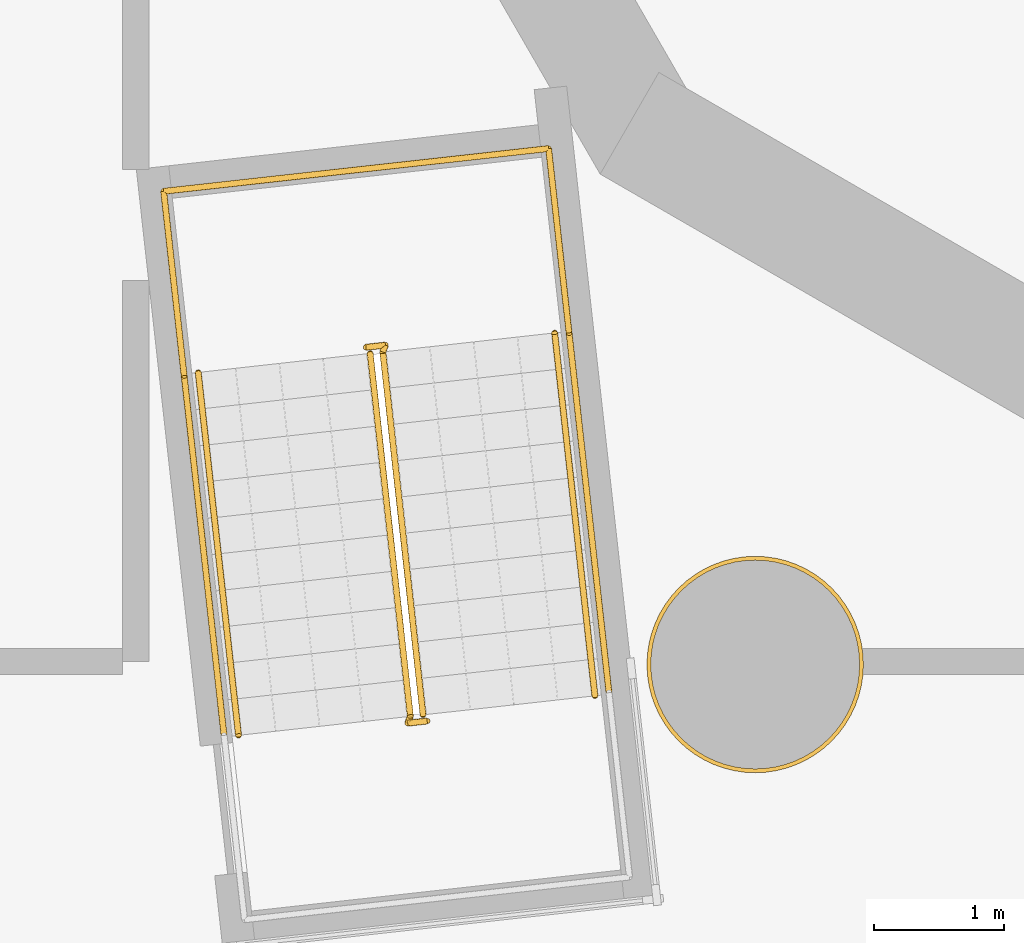
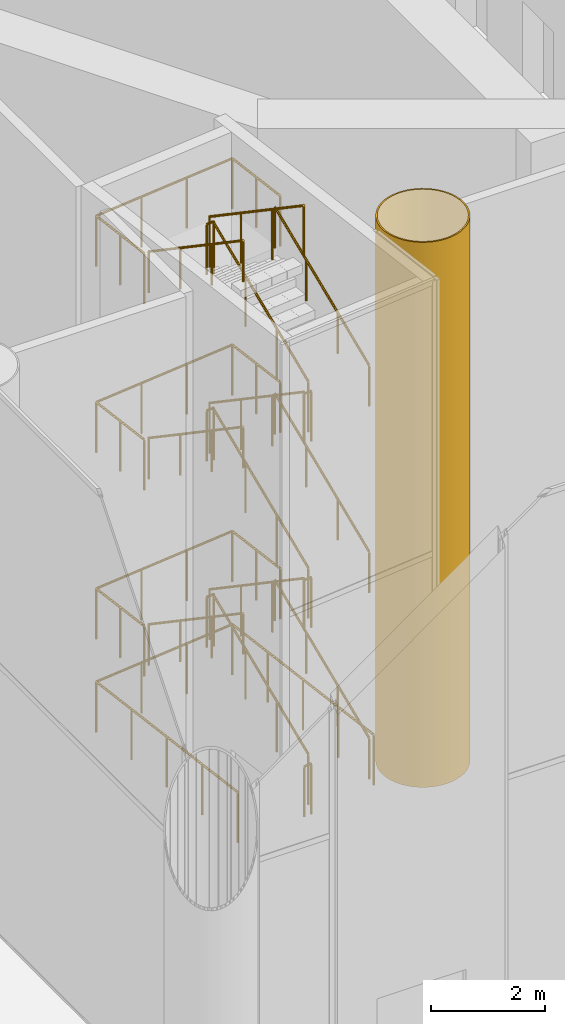
# One storey, part 29 of 52: 17 railings, 1 covering.
"""IFC4 building model written with IfcOpenShell, lengths in metres."""

from ifc_helpers import new_model, si_unit, direction, frame, origin, origin_2d, place, context, subcontext, project, spatial, polyline, circle, outline, extrude, material, layer, layer_set, type_object, element, save


model = new_model("IFC4")

# Units and contexts
model_context = context("Model", 3, precision=1e-05, world=origin(), true_north=direction((0.0, 1.0)))
body_context = subcontext(model_context, "Body", "Model", "MODEL_VIEW")
ifc_project = project(units=[si_unit("LENGTHUNIT", "METRE"), si_unit("AREAUNIT", "SQUARE_METRE"), si_unit("VOLUMEUNIT", "CUBIC_METRE"), si_unit("PLANEANGLEUNIT", "RADIAN"), si_unit("MASSUNIT", "GRAM", prefix="KILO")], contexts=[model_context])

# Site, building, storey
site_placement = place(None, origin())
site = spatial("IfcSite", under=ifc_project, at=site_placement, CompositionType="ELEMENT")
building_placement = place(site_placement, origin())
building = spatial("IfcBuilding", under=site, at=building_placement, Name="Cantera Rosa Tower", CompositionType="ELEMENT")
storey_placement = place(building_placement, origin())
storey = spatial("IfcBuildingStorey", under=building, at=storey_placement, Name="L00", CompositionType="ELEMENT", Elevation=0.0)

# Covering
ifc_material_1 = material(Name="Plaster")
ifc_layer = layer(ifc_material_1, 0.030029296875)
ifc_layer_set = layer_set([ifc_layer], Name="Column casing 30")
covering_type = type_object("IfcCoveringType", Name="Column casing 30", PredefinedType="CLADDING", material=ifc_layer_set)
covering_placement = place(storey_placement, origin())
element("IfcCovering", 1, at=covering_placement, inside=storey, type_object=covering_type, Name="Column casing L00-008", PredefinedType="CLADDING", context=body_context, shape_type="SweptSolid", body=[
    extrude(outline(polyline([(-6.823974609375, -12.681396484375), (-6.820068359375, -12.60009765625), (-6.823974609375, -12.5185546875), (-6.8359375, -12.43798828125), (-6.855712890625, -12.359130859375), (-6.88330078125, -12.282470703125), (-6.91796875, -12.208740234375), (-6.9599609375, -12.138916015625), (-7.00830078125, -12.073486328125), (-7.06298828125, -12.01318359375), (-7.12353515625, -11.95849609375), (-7.18896484375, -11.909912109375), (-7.2587890625, -11.867919921875), (-7.33251953125, -11.833251953125), (-7.4091796875, -11.8056640625), (-7.488037109375, -11.785888671875), (-7.568603515625, -11.77392578125), (-7.64990234375, -11.77001953125), (-7.7314453125, -11.77392578125), (-7.81201171875, -11.785888671875), (-7.890869140625, -11.8056640625), (-7.967529296875, -11.833251953125), (-8.041259765625, -11.867919921875), (-8.111083984375, -11.909912109375), (-8.176513671875, -11.95849609375), (-8.23681640625, -12.01318359375), (-8.29150390625, -12.073486328125), (-8.340087890625, -12.138916015625), (-8.382080078125, -12.208740234375), (-8.416748046875, -12.282470703125), (-8.4443359375, -12.359130859375), (-8.464111328125, -12.43798828125), (-8.47607421875, -12.5185546875), (-8.47998046875, -12.60009765625), (-8.47607421875, -12.681396484375), (-8.464111328125, -12.761962890625), (-8.4443359375, -12.8408203125), (-8.416748046875, -12.91748046875), (-8.382080078125, -12.9912109375), (-8.340087890625, -13.06103515625), (-8.29150390625, -13.12646484375), (-8.23681640625, -13.18701171875), (-8.176513671875, -13.24169921875), (-8.111083984375, -13.2900390625), (-8.041259765625, -13.33203125), (-7.967529296875, -13.36669921875), (-7.890869140625, -13.394287109375), (-7.81201171875, -13.4140625), (-7.7314453125, -13.426025390625), (-7.64990234375, -13.429931640625), (-7.568603515625, -13.426025390625), (-7.488037109375, -13.4140625), (-7.4091796875, -13.394287109375), (-7.33251953125, -13.36669921875), (-7.2587890625, -13.33203125), (-7.18896484375, -13.2900390625), (-7.12353515625, -13.24169921875), (-7.06298828125, -13.18701171875), (-7.00830078125, -13.12646484375), (-6.9599609375, -13.06103515625), (-6.91796875, -12.9912109375), (-6.88330078125, -12.91748046875), (-6.855712890625, -12.8408203125), (-6.8359375, -12.761962890625), (-6.823974609375, -12.681396484375)]), holes=[polyline([(-6.85400390625, -12.521484375), (-6.865478515625, -12.44384765625), (-6.884521484375, -12.367919921875), (-6.910888671875, -12.2939453125), (-6.944580078125, -12.222900390625), (-6.98486328125, -12.155517578125), (-7.031494140625, -12.092529296875), (-7.084228515625, -12.0341796875), (-7.142578125, -11.981689453125), (-7.20556640625, -11.934814453125), (-7.27294921875, -11.89453125), (-7.343994140625, -11.86083984375), (-7.417724609375, -11.83447265625), (-7.493896484375, -11.8154296875), (-7.571533203125, -11.803955078125), (-7.64990234375, -11.800048828125), (-7.728515625, -11.803955078125), (-7.80615234375, -11.8154296875), (-7.882080078125, -11.83447265625), (-7.9560546875, -11.86083984375), (-8.027099609375, -11.89453125), (-8.094482421875, -11.934814453125), (-8.157470703125, -11.981689453125), (-8.2158203125, -12.0341796875), (-8.268310546875, -12.092529296875), (-8.315185546875, -12.155517578125), (-8.35546875, -12.222900390625), (-8.38916015625, -12.2939453125), (-8.41552734375, -12.367919921875), (-8.4345703125, -12.44384765625), (-8.446044921875, -12.521484375), (-8.449951171875, -12.60009765625), (-8.446044921875, -12.678466796875), (-8.4345703125, -12.756103515625), (-8.41552734375, -12.832275390625), (-8.38916015625, -12.906005859375), (-8.35546875, -12.97705078125), (-8.315185546875, -13.04443359375), (-8.268310546875, -13.107421875), (-8.2158203125, -13.165771484375), (-8.157470703125, -13.218505859375), (-8.094482421875, -13.26513671875), (-8.027099609375, -13.305419921875), (-7.9560546875, -13.339111328125), (-7.882080078125, -13.365478515625), (-7.80615234375, -13.384521484375), (-7.728515625, -13.39599609375), (-7.64990234375, -13.39990234375), (-7.571533203125, -13.39599609375), (-7.493896484375, -13.384521484375), (-7.417724609375, -13.365478515625), (-7.343994140625, -13.339111328125), (-7.27294921875, -13.305419921875), (-7.20556640625, -13.26513671875), (-7.142578125, -13.218505859375), (-7.084228515625, -13.165771484375), (-7.031494140625, -13.107421875), (-6.98486328125, -13.04443359375), (-6.944580078125, -12.97705078125), (-6.910888671875, -12.906005859375), (-6.884521484375, -12.832275390625), (-6.865478515625, -12.756103515625), (-6.85400390625, -12.678466796875), (-6.85009765625, -12.60009765625), (-6.85400390625, -12.521484375)])]), origin(), (0.0, 0.0, 1.0), 11.699951171875),
])

# Railings
ifc_material_2 = material(Name="Steel S355J2 (EN 10025-2)", Category="steel")
railing_type_1 = type_object("IfcRailingType", Name="STAIR GUARD 1100", PredefinedType="GUARDRAIL", material=ifc_material_2)
railing_1_placement = place(storey_placement, frame((-10.19677734375, -12.986083984375, 0.181884765625)))
element("IfcRailing", 2, at=railing_1_placement, inside=storey, type_object=railing_type_1, Name="L00 ST-13 stair guard 1", PredefinedType="GUARDRAIL", context=body_context, shape_type="SweptSolid", body=[
    extrude(circle(Radius=0.02392578125, at=origin_2d()), frame((0.0, 0.0, 1.076171875), z_axis=(-0.09250714026, 0.833588056777, 0.544585512661), x_axis=(-0.993898612038, -0.110297547524, 0.0)), (0.0, 0.0, 1.0), 3.338623046875),
    extrude(circle(Radius=0.02392578125, at=origin_2d()), frame((-0.308837890625, 2.782958984375, 2.89404296875), z_axis=(0.360141847183, 0.932897555956, 0.0), x_axis=(-0.932897555956, 0.360141847183, 0.0)), (0.0, 0.0, 1.0), 0.05615234375),
    extrude(circle(Radius=0.02392578125, at=origin_2d()), frame((-0.28857421875, 2.83544921875, 2.89404296875), z_axis=(-0.993863881828, -0.110610055588, 0.0), x_axis=(0.110610055588, -0.993863881828, 0.0)), (0.0, 0.0, 1.0), 0.150146484375),
    extrude(circle(Radius=0.02099609375, at=origin_2d()), origin(), (0.0, 0.0, 1.0), 1.052001953125),
    extrude(circle(Radius=0.02099609375, at=origin_2d()), frame((-0.10302734375, 0.927734375, 0.60595703125)), (0.0, 0.0, 1.0), 1.052001953125),
    extrude(circle(Radius=0.02099609375, at=origin_2d()), frame((-0.205810546875, 1.855224609375, 1.212158203125)), (0.0, 0.0, 1.0), 1.052001953125),
    extrude(circle(Radius=0.02099609375, at=origin_2d()), frame((-0.308837890625, 2.782958984375, 1.818115234375)), (0.0, 0.0, 1.0), 1.052001953125),
    extrude(circle(Radius=0.02099609375, at=origin_2d()), frame((-0.28857421875, 2.83544921875, 1.818115234375)), (0.0, 0.0, 1.0), 1.052001953125),
    extrude(circle(Radius=0.02099609375, at=origin_2d()), frame((-0.437744140625, 2.81884765625, 1.818115234375)), (0.0, 0.0, 1.0), 1.052001953125),
])
railing_2_placement = place(storey_placement, frame((-10.60302734375, -10.2138671875, 2.181884765625)))
element("IfcRailing", 3, at=railing_2_placement, inside=storey, type_object=railing_type_1, Name="L00 ST-13 stair guard 2", PredefinedType="GUARDRAIL", context=body_context, shape_type="SweptSolid", body=[
    extrude(circle(Radius=0.02392578125, at=origin_2d()), frame((0.0, 0.0, 1.076171875), z_axis=(0.09250714026, -0.833588056777, 0.544585512661), x_axis=(0.993898612038, 0.110297547524, 0.0)), (0.0, 0.0, 1.0), 3.338623046875),
    extrude(circle(Radius=0.02392578125, at=origin_2d()), frame((0.308837890625, -2.782958984375, 2.89404296875), z_axis=(-0.363909256389, -0.931434406233, 0.0), x_axis=(0.931434406233, -0.363909256389, 0.0)), (0.0, 0.0, 1.0), 0.056396484375),
    extrude(circle(Radius=0.02392578125, at=origin_2d()), frame((0.288330078125, -2.83544921875, 2.89404296875), z_axis=(0.994041430915, 0.1090029065, 0.0), x_axis=(-0.1090029065, 0.994041430915, 0.0)), (0.0, 0.0, 1.0), 0.150146484375),
    extrude(circle(Radius=0.02099609375, at=origin_2d()), origin(), (0.0, 0.0, 1.0), 1.052001953125),
    extrude(circle(Radius=0.02099609375, at=origin_2d()), frame((0.10302734375, -0.927734375, 0.60595703125)), (0.0, 0.0, 1.0), 1.052001953125),
    extrude(circle(Radius=0.02099609375, at=origin_2d()), frame((0.205810546875, -1.855224609375, 1.212158203125)), (0.0, 0.0, 1.0), 1.052001953125),
    extrude(circle(Radius=0.02099609375, at=origin_2d()), frame((0.308837890625, -2.782958984375, 1.818115234375)), (0.0, 0.0, 1.0), 1.052001953125),
    extrude(circle(Radius=0.02099609375, at=origin_2d()), frame((0.288330078125, -2.83544921875, 1.818115234375)), (0.0, 0.0, 1.0), 1.052001953125),
    extrude(circle(Radius=0.02099609375, at=origin_2d()), frame((0.4375, -2.819091796875, 1.818115234375)), (0.0, 0.0, 1.0), 1.052001953125),
])
railing_3_placement = place(storey_placement, frame((-10.19677734375, -12.986083984375, 4.181884765625)))
element("IfcRailing", 4, at=railing_3_placement, inside=storey, type_object=railing_type_1, Name="L00 ST-13 stair guard 3", PredefinedType="GUARDRAIL", context=body_context, shape_type="SweptSolid", body=[
    extrude(circle(Radius=0.02392578125, at=origin_2d()), frame((0.0, 0.0, 1.076171875), z_axis=(-0.09250714026, 0.833588056777, 0.544585512661), x_axis=(-0.993898612038, -0.110297547524, 0.0)), (0.0, 0.0, 1.0), 3.338623046875),
    extrude(circle(Radius=0.02392578125, at=origin_2d()), frame((-0.308837890625, 2.782958984375, 2.89404296875), z_axis=(0.360141847183, 0.932897555956, 0.0), x_axis=(-0.932897555956, 0.360141847183, 0.0)), (0.0, 0.0, 1.0), 0.05615234375),
    extrude(circle(Radius=0.02392578125, at=origin_2d()), frame((-0.28857421875, 2.83544921875, 2.89404296875), z_axis=(-0.993863881828, -0.110610055588, 0.0), x_axis=(0.110610055588, -0.993863881828, 0.0)), (0.0, 0.0, 1.0), 0.150146484375),
    extrude(circle(Radius=0.02099609375, at=origin_2d()), origin(), (0.0, 0.0, 1.0), 1.052001953125),
    extrude(circle(Radius=0.02099609375, at=origin_2d()), frame((-0.10302734375, 0.927734375, 0.60595703125)), (0.0, 0.0, 1.0), 1.052001953125),
    extrude(circle(Radius=0.02099609375, at=origin_2d()), frame((-0.205810546875, 1.855224609375, 1.212158203125)), (0.0, 0.0, 1.0), 1.052001953125),
    extrude(circle(Radius=0.02099609375, at=origin_2d()), frame((-0.308837890625, 2.782958984375, 1.818115234375)), (0.0, 0.0, 1.0), 1.052001953125),
    extrude(circle(Radius=0.02099609375, at=origin_2d()), frame((-0.28857421875, 2.83544921875, 1.818115234375)), (0.0, 0.0, 1.0), 1.052001953125),
    extrude(circle(Radius=0.02099609375, at=origin_2d()), frame((-0.437744140625, 2.81884765625, 1.818115234375)), (0.0, 0.0, 1.0), 1.052001953125),
])
railing_4_placement = place(storey_placement, frame((-10.60302734375, -10.2138671875, 6.181884765625)))
element("IfcRailing", 5, at=railing_4_placement, inside=storey, type_object=railing_type_1, Name="L00 ST-13 stair guard 4", PredefinedType="GUARDRAIL", context=body_context, shape_type="SweptSolid", body=[
    extrude(circle(Radius=0.02392578125, at=origin_2d()), frame((0.0, 0.0, 1.076171875), z_axis=(0.09250714026, -0.833588056777, 0.544585512661), x_axis=(0.993898612038, 0.110297547524, 0.0)), (0.0, 0.0, 1.0), 3.338623046875),
    extrude(circle(Radius=0.02392578125, at=origin_2d()), frame((0.308837890625, -2.782958984375, 2.89404296875), z_axis=(-0.363909256389, -0.931434406233, 0.0), x_axis=(0.931434406233, -0.363909256389, 0.0)), (0.0, 0.0, 1.0), 0.056396484375),
    extrude(circle(Radius=0.02392578125, at=origin_2d()), frame((0.288330078125, -2.83544921875, 2.89404296875), z_axis=(0.994041430915, 0.1090029065, 0.0), x_axis=(-0.1090029065, 0.994041430915, 0.0)), (0.0, 0.0, 1.0), 0.150146484375),
    extrude(circle(Radius=0.02099609375, at=origin_2d()), origin(), (0.0, 0.0, 1.0), 1.052001953125),
    extrude(circle(Radius=0.02099609375, at=origin_2d()), frame((0.10302734375, -0.927734375, 0.60595703125)), (0.0, 0.0, 1.0), 1.052001953125),
    extrude(circle(Radius=0.02099609375, at=origin_2d()), frame((0.205810546875, -1.855224609375, 1.212158203125)), (0.0, 0.0, 1.0), 1.052001953125),
    extrude(circle(Radius=0.02099609375, at=origin_2d()), frame((0.308837890625, -2.782958984375, 1.818115234375)), (0.0, 0.0, 1.0), 1.052001953125),
    extrude(circle(Radius=0.02099609375, at=origin_2d()), frame((0.288330078125, -2.83544921875, 1.818115234375)), (0.0, 0.0, 1.0), 1.052001953125),
    extrude(circle(Radius=0.02099609375, at=origin_2d()), frame((0.4375, -2.819091796875, 1.818115234375)), (0.0, 0.0, 1.0), 1.052001953125),
])
railing_5_placement = place(storey_placement, frame((-10.19677734375, -12.986083984375, 8.181884765625)))
element("IfcRailing", 6, at=railing_5_placement, inside=storey, type_object=railing_type_1, Name="L00 ST-13 stair guard 5", PredefinedType="GUARDRAIL", context=body_context, shape_type="SweptSolid", body=[
    extrude(circle(Radius=0.02392578125, at=origin_2d()), frame((0.0, 0.0, 1.076171875), z_axis=(-0.09250714026, 0.833588056777, 0.544585512661), x_axis=(-0.993898612038, -0.110297547524, 0.0)), (0.0, 0.0, 1.0), 3.338623046875),
    extrude(circle(Radius=0.02392578125, at=origin_2d()), frame((-0.308837890625, 2.782958984375, 2.89404296875), z_axis=(0.360141847183, 0.932897555956, 0.0), x_axis=(-0.932897555956, 0.360141847183, 0.0)), (0.0, 0.0, 1.0), 0.05615234375),
    extrude(circle(Radius=0.02392578125, at=origin_2d()), frame((-0.28857421875, 2.83544921875, 2.89404296875), z_axis=(-0.993863881828, -0.110610055588, 0.0), x_axis=(0.110610055588, -0.993863881828, 0.0)), (0.0, 0.0, 1.0), 0.150146484375),
    extrude(circle(Radius=0.02099609375, at=origin_2d()), origin(), (0.0, 0.0, 1.0), 1.052001953125),
    extrude(circle(Radius=0.02099609375, at=origin_2d()), frame((-0.10302734375, 0.927734375, 0.60595703125)), (0.0, 0.0, 1.0), 1.052001953125),
    extrude(circle(Radius=0.02099609375, at=origin_2d()), frame((-0.205810546875, 1.855224609375, 1.212158203125)), (0.0, 0.0, 1.0), 1.052001953125),
    extrude(circle(Radius=0.02099609375, at=origin_2d()), frame((-0.308837890625, 2.782958984375, 1.818115234375)), (0.0, 0.0, 1.0), 1.052001953125),
    extrude(circle(Radius=0.02099609375, at=origin_2d()), frame((-0.28857421875, 2.83544921875, 1.818115234375)), (0.0, 0.0, 1.0), 1.052001953125),
    extrude(circle(Radius=0.02099609375, at=origin_2d()), frame((-0.437744140625, 2.81884765625, 1.818115234375)), (0.0, 0.0, 1.0), 1.052001953125),
])
railing_6_placement = place(storey_placement, frame((-10.60302734375, -10.2138671875, 10.181884765625)))
element("IfcRailing", 7, at=railing_6_placement, inside=storey, type_object=railing_type_1, Name="L00 ST-13 stair guard 6", PredefinedType="GUARDRAIL", context=body_context, shape_type="SweptSolid", body=[
    extrude(circle(Radius=0.02392578125, at=origin_2d()), frame((0.0, 0.0, 1.076171875), z_axis=(0.09250714026, -0.833588056777, 0.544585512661), x_axis=(0.993898612038, 0.110297547524, 0.0)), (0.0, 0.0, 1.0), 3.338623046875),
    extrude(circle(Radius=0.02099609375, at=origin_2d()), origin(), (0.0, 0.0, 1.0), 1.052001953125),
    extrude(circle(Radius=0.02099609375, at=origin_2d()), frame((0.10302734375, -0.927734375, 0.60595703125)), (0.0, 0.0, 1.0), 1.052001953125),
    extrude(circle(Radius=0.02099609375, at=origin_2d()), frame((0.205810546875, -1.855224609375, 1.212158203125)), (0.0, 0.0, 1.0), 1.052001953125),
    extrude(circle(Radius=0.02099609375, at=origin_2d()), frame((0.308837890625, -2.782958984375, 1.818115234375)), (0.0, 0.0, 1.0), 1.052001953125),
])
railing_7_placement = place(storey_placement, frame((-10.16552734375, -13.032958984375, 0.0)))
element("IfcRailing", 8, at=railing_7_placement, inside=storey, type_object=railing_type_1, Name="L00 ST-13 stair guard 7", PredefinedType="GUARDRAIL", context=body_context, shape_type="SweptSolid", body=[
    extrude(circle(Radius=0.02392578125, at=origin_2d()), frame((0.0, 0.0, 1.076171875), z_axis=(-0.994041430915, -0.1090029065, 0.0), x_axis=(0.1090029065, -0.994041430915, 0.0)), (0.0, 0.0, 1.0), 0.150146484375),
    extrude(circle(Radius=0.02099609375, at=origin_2d()), origin(), (0.0, 0.0, 1.0), 1.052001953125),
    extrude(circle(Radius=0.02099609375, at=origin_2d()), frame((-0.149169921875, -0.016357421875, 0.0)), (0.0, 0.0, 1.0), 1.052001953125),
])
railing_8_placement = place(storey_placement, frame((-8.77099609375, -12.815673828125, 0.0)))
element("IfcRailing", 9, at=railing_8_placement, inside=storey, type_object=railing_type_1, Name="L00 ST-13 stair guard 8", PredefinedType="GUARDRAIL", context=body_context, shape_type="SweptSolid", body=[
    extrude(circle(Radius=0.02392578125, at=origin_2d()), frame((0.0, 0.0, 1.076171875), z_axis=(-0.110323013767, 0.9938957856, 0.0), x_axis=(-0.9938957856, -0.110323013767, 0.0)), (0.0, 0.0, 1.0), 4.197998046875),
    extrude(circle(Radius=0.02392578125, at=origin_2d()), frame((-0.463134765625, 4.17236328125, 1.076171875), z_axis=(-0.993896759678, -0.110314237986, 0.0), x_axis=(0.110314237986, -0.993896759678, 0.0)), (0.0, 0.0, 1.0), 2.969970703125),
    extrude(circle(Radius=0.02392578125, at=origin_2d()), frame((-3.4150390625, 3.8447265625, 1.076171875), z_axis=(0.110323013767, -0.9938957856, 0.0), x_axis=(0.9938957856, 0.110323013767, 0.0)), (0.0, 0.0, 1.0), 4.197998046875),
    extrude(circle(Radius=0.02099609375, at=origin_2d()), origin(), (0.0, 0.0, 1.0), 1.052001953125),
    extrude(circle(Radius=0.02099609375, at=origin_2d()), frame((-0.11572265625, 1.04296875, 0.0)), (0.0, 0.0, 1.0), 1.052001953125),
    extrude(circle(Radius=0.02099609375, at=origin_2d()), frame((-0.2314453125, 2.086181640625, 0.0)), (0.0, 0.0, 1.0), 1.052001953125),
    extrude(circle(Radius=0.02099609375, at=origin_2d()), frame((-0.347412109375, 3.12939453125, 0.0)), (0.0, 0.0, 1.0), 1.052001953125),
    extrude(circle(Radius=0.02099609375, at=origin_2d()), frame((-0.463134765625, 4.17236328125, 0.0)), (0.0, 0.0, 1.0), 1.052001953125),
    extrude(circle(Radius=0.02099609375, at=origin_2d()), frame((-1.447021484375, 4.063232421875, 0.0)), (0.0, 0.0, 1.0), 1.052001953125),
    extrude(circle(Radius=0.02099609375, at=origin_2d()), frame((-2.43115234375, 3.953857421875, 0.0)), (0.0, 0.0, 1.0), 1.052001953125),
    extrude(circle(Radius=0.02099609375, at=origin_2d()), frame((-3.4150390625, 3.8447265625, 0.0)), (0.0, 0.0, 1.0), 1.052001953125),
    extrude(circle(Radius=0.02099609375, at=origin_2d()), frame((-3.29931640625, 2.8017578125, 0.0)), (0.0, 0.0, 1.0), 1.052001953125),
    extrude(circle(Radius=0.02099609375, at=origin_2d()), frame((-3.18359375, 1.758544921875, 0.0)), (0.0, 0.0, 1.0), 1.052001953125),
    extrude(circle(Radius=0.02099609375, at=origin_2d()), frame((-3.067626953125, 0.71533203125, 0.0)), (0.0, 0.0, 1.0), 1.052001953125),
    extrude(circle(Radius=0.02099609375, at=origin_2d()), frame((-2.951904296875, -0.32763671875, 0.0)), (0.0, 0.0, 1.0), 1.052001953125),
])
for number, where, name in (
    (10, (-9.0771484375, -10.056640625, 2.0), "L00 ST-13 stair guard 9"),
    (11, (-9.0771484375, -10.056640625, 6.0), "L00 ST-13 stair guard 11"),
    (12, (-9.0771484375, -10.056640625, 10.0), "L00 ST-13 stair guard 13"),
):
    element("IfcRailing", number, at=place(storey_placement, frame(where)), inside=storey, type_object=railing_type_1, Name=name, PredefinedType="GUARDRAIL", context=body_context, shape_type="SweptSolid", body=[
        extrude(circle(Radius=0.02392578125, at=origin_2d()), frame((0.0, 0.0, 1.076171875), z_axis=(-0.110393838913, 0.993887921413, 0.0), x_axis=(-0.993887921413, -0.110393838913, 0.0)), (0.0, 0.0, 1.0), 1.422119140625),
        extrude(circle(Radius=0.02392578125, at=origin_2d()), frame((-0.156982421875, 1.413330078125, 1.076171875), z_axis=(-0.993896759678, -0.110314237986, 0.0), x_axis=(0.110314237986, -0.993896759678, 0.0)), (0.0, 0.0, 1.0), 2.969970703125),
        extrude(circle(Radius=0.02392578125, at=origin_2d()), frame((-3.10888671875, 1.085693359375, 1.076171875), z_axis=(0.110393838913, -0.993887921413, 0.0), x_axis=(0.993887921413, 0.110393838913, 0.0)), (0.0, 0.0, 1.0), 1.422119140625),
        extrude(circle(Radius=0.02099609375, at=origin_2d()), origin(), (0.0, 0.0, 1.0), 1.052001953125),
        extrude(circle(Radius=0.02099609375, at=origin_2d()), frame((-0.07861328125, 0.70654296875, 0.0)), (0.0, 0.0, 1.0), 1.052001953125),
        extrude(circle(Radius=0.02099609375, at=origin_2d()), frame((-0.156982421875, 1.413330078125, 0.0)), (0.0, 0.0, 1.0), 1.052001953125),
        extrude(circle(Radius=0.02099609375, at=origin_2d()), frame((-1.140869140625, 1.30419921875, 0.0)), (0.0, 0.0, 1.0), 1.052001953125),
        extrude(circle(Radius=0.02099609375, at=origin_2d()), frame((-2.125, 1.19482421875, 0.0)), (0.0, 0.0, 1.0), 1.052001953125),
        extrude(circle(Radius=0.02099609375, at=origin_2d()), frame((-3.10888671875, 1.085693359375, 0.0)), (0.0, 0.0, 1.0), 1.052001953125),
        extrude(circle(Radius=0.02099609375, at=origin_2d()), frame((-3.0302734375, 0.37890625, 0.0)), (0.0, 0.0, 1.0), 1.052001953125),
        extrude(circle(Radius=0.02099609375, at=origin_2d()), frame((-2.951904296875, -0.32763671875, 0.0)), (0.0, 0.0, 1.0), 1.052001953125),
    ])
ifc_material_3 = material(Name="Steel S355J2 (EN 10025-2)", Category="steel")
railing_type_2 = type_object("IfcRailingType", Name="STAIR HANDRAIL 900", PredefinedType="HANDRAIL", material=ifc_material_3)
railing_9_placement = place(storey_placement, frame((-8.87890625, -12.83984375, 0.181884765625)))
element("IfcRailing", 13, at=railing_9_placement, inside=storey, type_object=railing_type_2, Name="L00 ST-13 stair handrail 1", PredefinedType="HANDRAIL", context=body_context, shape_type="SweptSolid", body=[
    extrude(circle(Radius=0.02392578125, at=origin_2d()), frame((0.0, 0.0, 0.8759765625), z_axis=(-0.09250714026, 0.833588056777, 0.544585512661), x_axis=(-0.993898612038, -0.110297547524, 0.0)), (0.0, 0.0, 1.0), 3.338623046875),
    extrude(circle(Radius=0.02099609375, at=origin_2d()), origin(), (0.0, 0.0, 1.0), 0.851806640625),
    extrude(circle(Radius=0.02099609375, at=origin_2d()), frame((-0.10302734375, 0.927734375, 0.60595703125)), (0.0, 0.0, 1.0), 0.851806640625),
    extrude(circle(Radius=0.02099609375, at=origin_2d()), frame((-0.205810546875, 1.855224609375, 1.212158203125)), (0.0, 0.0, 1.0), 0.851806640625),
    extrude(circle(Radius=0.02099609375, at=origin_2d()), frame((-0.308837890625, 2.782958984375, 1.818115234375)), (0.0, 0.0, 1.0), 0.851806640625),
])
railing_10_placement = place(storey_placement, frame((-11.921142578125, -10.360107421875, 2.181884765625)))
element("IfcRailing", 14, at=railing_10_placement, inside=storey, type_object=railing_type_2, Name="L00 ST-13 stair handrail 2", PredefinedType="HANDRAIL", context=body_context, shape_type="SweptSolid", body=[
    extrude(circle(Radius=0.02392578125, at=origin_2d()), frame((0.0, 0.0, 0.8759765625), z_axis=(0.092579641899, -0.833582415484, 0.544581827187), x_axis=(0.99388905004, 0.110383677283, 0.0)), (0.0, 0.0, 1.0), 3.338623046875),
    extrude(circle(Radius=0.02099609375, at=origin_2d()), origin(), (0.0, 0.0, 1.0), 0.851806640625),
    extrude(circle(Radius=0.02099609375, at=origin_2d()), frame((0.10302734375, -0.927734375, 0.60595703125)), (0.0, 0.0, 1.0), 0.851806640625),
    extrude(circle(Radius=0.02099609375, at=origin_2d()), frame((0.2060546875, -1.855224609375, 1.212158203125)), (0.0, 0.0, 1.0), 0.851806640625),
    extrude(circle(Radius=0.02099609375, at=origin_2d()), frame((0.30908203125, -2.782958984375, 1.818115234375)), (0.0, 0.0, 1.0), 0.851806640625),
])
railing_11_placement = place(storey_placement, frame((-8.87890625, -12.83984375, 4.181884765625)))
element("IfcRailing", 15, at=railing_11_placement, inside=storey, type_object=railing_type_2, Name="L00 ST-13 stair handrail 3", PredefinedType="HANDRAIL", context=body_context, shape_type="SweptSolid", body=[
    extrude(circle(Radius=0.02392578125, at=origin_2d()), frame((0.0, 0.0, 0.8759765625), z_axis=(-0.09250714026, 0.833588056777, 0.544585512661), x_axis=(-0.993898612038, -0.110297547524, 0.0)), (0.0, 0.0, 1.0), 3.338623046875),
    extrude(circle(Radius=0.02099609375, at=origin_2d()), origin(), (0.0, 0.0, 1.0), 0.851806640625),
    extrude(circle(Radius=0.02099609375, at=origin_2d()), frame((-0.10302734375, 0.927734375, 0.60595703125)), (0.0, 0.0, 1.0), 0.851806640625),
    extrude(circle(Radius=0.02099609375, at=origin_2d()), frame((-0.205810546875, 1.855224609375, 1.212158203125)), (0.0, 0.0, 1.0), 0.851806640625),
    extrude(circle(Radius=0.02099609375, at=origin_2d()), frame((-0.308837890625, 2.782958984375, 1.818115234375)), (0.0, 0.0, 1.0), 0.851806640625),
])
railing_12_placement = place(storey_placement, frame((-11.921142578125, -10.360107421875, 6.181884765625)))
element("IfcRailing", 16, at=railing_12_placement, inside=storey, type_object=railing_type_2, Name="L00 ST-13 stair handrail 4", PredefinedType="HANDRAIL", context=body_context, shape_type="SweptSolid", body=[
    extrude(circle(Radius=0.02392578125, at=origin_2d()), frame((0.0, 0.0, 0.8759765625), z_axis=(0.092579641899, -0.833582415484, 0.544581827187), x_axis=(0.99388905004, 0.110383677283, 0.0)), (0.0, 0.0, 1.0), 3.338623046875),
    extrude(circle(Radius=0.02099609375, at=origin_2d()), origin(), (0.0, 0.0, 1.0), 0.851806640625),
    extrude(circle(Radius=0.02099609375, at=origin_2d()), frame((0.10302734375, -0.927734375, 0.60595703125)), (0.0, 0.0, 1.0), 0.851806640625),
    extrude(circle(Radius=0.02099609375, at=origin_2d()), frame((0.2060546875, -1.855224609375, 1.212158203125)), (0.0, 0.0, 1.0), 0.851806640625),
    extrude(circle(Radius=0.02099609375, at=origin_2d()), frame((0.30908203125, -2.782958984375, 1.818115234375)), (0.0, 0.0, 1.0), 0.851806640625),
])
railing_13_placement = place(storey_placement, frame((-8.87890625, -12.83984375, 8.181884765625)))
element("IfcRailing", 17, at=railing_13_placement, inside=storey, type_object=railing_type_2, Name="L00 ST-13 stair handrail 5", PredefinedType="HANDRAIL", context=body_context, shape_type="SweptSolid", body=[
    extrude(circle(Radius=0.02392578125, at=origin_2d()), frame((0.0, 0.0, 0.8759765625), z_axis=(-0.09250714026, 0.833588056777, 0.544585512661), x_axis=(-0.993898612038, -0.110297547524, 0.0)), (0.0, 0.0, 1.0), 3.338623046875),
    extrude(circle(Radius=0.02099609375, at=origin_2d()), origin(), (0.0, 0.0, 1.0), 0.851806640625),
    extrude(circle(Radius=0.02099609375, at=origin_2d()), frame((-0.10302734375, 0.927734375, 0.60595703125)), (0.0, 0.0, 1.0), 0.851806640625),
    extrude(circle(Radius=0.02099609375, at=origin_2d()), frame((-0.205810546875, 1.855224609375, 1.212158203125)), (0.0, 0.0, 1.0), 0.851806640625),
    extrude(circle(Radius=0.02099609375, at=origin_2d()), frame((-0.308837890625, 2.782958984375, 1.818115234375)), (0.0, 0.0, 1.0), 0.851806640625),
])
railing_14_placement = place(storey_placement, frame((-11.921142578125, -10.360107421875, 10.181884765625)))
element("IfcRailing", 18, at=railing_14_placement, inside=storey, type_object=railing_type_2, Name="L00 ST-13 stair handrail 6", PredefinedType="HANDRAIL", context=body_context, shape_type="SweptSolid", body=[
    extrude(circle(Radius=0.02392578125, at=origin_2d()), frame((0.0, 0.0, 0.8759765625), z_axis=(0.092579641899, -0.833582415484, 0.544581827187), x_axis=(0.99388905004, 0.110383677283, 0.0)), (0.0, 0.0, 1.0), 3.338623046875),
    extrude(circle(Radius=0.02099609375, at=origin_2d()), origin(), (0.0, 0.0, 1.0), 0.851806640625),
    extrude(circle(Radius=0.02099609375, at=origin_2d()), frame((0.10302734375, -0.927734375, 0.60595703125)), (0.0, 0.0, 1.0), 0.851806640625),
    extrude(circle(Radius=0.02099609375, at=origin_2d()), frame((0.2060546875, -1.855224609375, 1.212158203125)), (0.0, 0.0, 1.0), 0.851806640625),
    extrude(circle(Radius=0.02099609375, at=origin_2d()), frame((0.30908203125, -2.782958984375, 1.818115234375)), (0.0, 0.0, 1.0), 0.851806640625),
])

save(model, "model.ifc")
